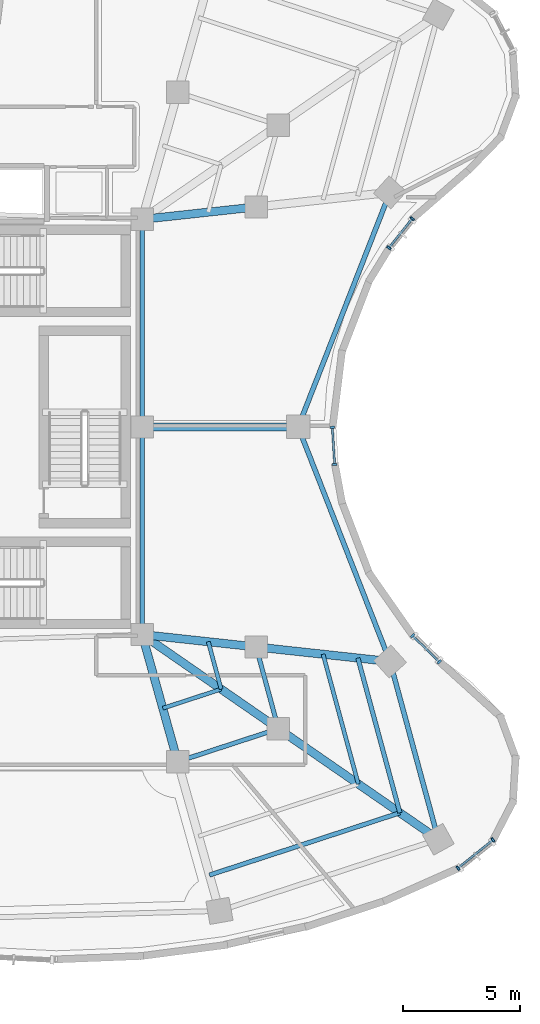
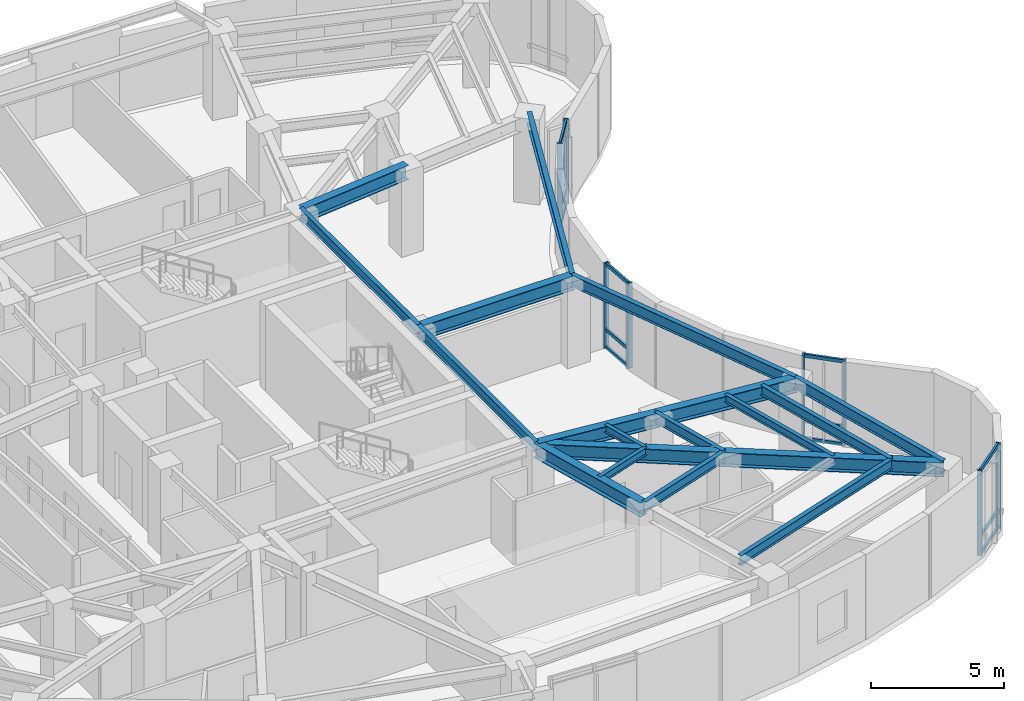
# One storey, part 4 of 15: 20 members, 19 beams, 4 elements without a shape of their own.
"""IFC4 building model written with IfcOpenShell, lengths in metres."""

from ifc_helpers import new_model, si_unit, direction, frame, origin, origin_2d, place, context, subcontext, project, spatial, rectangle, i_section, extrude, material, layer, layer_set, material_profile, profile_set, type_object, element, aggregate, save


model = new_model("IFC4")

# Units and contexts
model_context = context("Model", 3, precision=1e-05, world=origin(), true_north=direction((0.0, 1.0)))
body_context = subcontext(model_context, "Body", "Model", "MODEL_VIEW")
ifc_project = project(units=[si_unit("LENGTHUNIT", "METRE"), si_unit("AREAUNIT", "SQUARE_METRE"), si_unit("VOLUMEUNIT", "CUBIC_METRE"), si_unit("PLANEANGLEUNIT", "RADIAN"), si_unit("MASSUNIT", "GRAM", prefix="KILO")], contexts=[model_context])

# Site, building, storey
site_placement = place(None, origin())
site = spatial("IfcSite", under=ifc_project, at=site_placement, CompositionType="ELEMENT")
building_placement = place(site_placement, origin())
building = spatial("IfcBuilding", under=site, at=building_placement, Name="Korentha Bioscience Tower", CompositionType="ELEMENT")
storey_placement = place(building_placement, frame((0.0, 0.0, 226.800048828125)))
storey = spatial("IfcBuildingStorey", under=building, at=storey_placement, Name="L52", CompositionType="ELEMENT", Elevation=226.800048828125)

# Beams
ifc_material_1 = material(Name="Steel S355", Category="steel")
ifc_material_profile_1 = material_profile(ifc_material_1, i_section(OverallWidth=0.18994140625, OverallDepth=0.45703125, WebThickness=0.009033203125, FlangeThickness=0.014404296875, at=origin_2d()), Name="Steel S355")
ifc_profile_set_1 = profile_set([ifc_material_profile_1], Name="Steel S355 (MB-460)")
beam_type_1 = type_object("IfcBeamType", Name="Mid-Ring Tie Girder W460x74", PredefinedType="BEAM", material=ifc_profile_set_1)
beam_1_placement = place(storey_placement, frame((39.066650390625, 12.730224609375, 3.67138671875), z_axis=(0.950447398506, 0.310885417274, 0.0), x_axis=(-0.310885417274, 0.950447398506, 0.0)))
element("IfcBeam", 1, at=beam_1_placement, inside=storey, type_object=beam_type_1, Name="L52 Mid-Ring Tie Girder 12", PredefinedType="BEAM", context=body_context, shape_type="SweptSolid", body=[
    extrude(i_section(OverallWidth=0.18994140625, OverallDepth=0.45703125, WebThickness=0.009033203125, FlangeThickness=0.014404296875, at=origin_2d()), origin(), (0.0, 0.0, 1.0), 4.5146484375),
])
beam_2_placement = place(storey_placement, frame((43.357666015625, 14.1337890625, 3.67138671875), z_axis=(-0.262122358011, 0.965034646752, 0.0), x_axis=(-0.965034646752, -0.262122358011, 0.0)))
element("IfcBeam", 2, at=beam_2_placement, inside=storey, type_object=beam_type_1, Name="L52 Mid-Ring Tie Girder 13", PredefinedType="BEAM", context=body_context, shape_type="SweptSolid", body=[
    extrude(i_section(OverallWidth=0.18994140625, OverallDepth=0.45703125, WebThickness=0.009033203125, FlangeThickness=0.014404296875, at=origin_2d()), origin(), (0.0, 0.0, 1.0), 3.61279296875),
])
for number, where, z_axis, x_axis, name in (
    (3, (37.550048828125, 18.14990234375, 3.67138671875), (0.0, 1.0, 0.0), (-1.0, 0.0, 0.0), "L52 Core Ring Tie Girder 06"),
    (4, (37.550048828125, 27.0, 3.67138671875), (0.0, 1.0, 0.0), (-1.0, 0.0, 0.0), "L52 Core Ring Tie Girder 07"),
):
    element("IfcBeam", number, at=place(storey_placement, frame(where, z_axis=z_axis, x_axis=x_axis)), inside=storey, type_object=beam_type_1, Name=name, PredefinedType="BEAM", context=body_context, shape_type="SweptSolid", body=[
        extrude(i_section(OverallWidth=0.18994140625, OverallDepth=0.45703125, WebThickness=0.009033203125, FlangeThickness=0.014404296875, at=origin_2d()), origin(), (0.0, 0.0, 1.0), 8.85009765625),
    ])

# Curtain wall, members
ifc_material_2 = material(Name="Thermally Broken Aluminium Frame", Category="aluminium")
ifc_layer_1 = layer(ifc_material_2, 0.219970703125, Name="Thermally Broken Aluminium Frame")
ifc_layer_set_1 = layer_set([ifc_layer_1], Name="Thermally Broken Aluminium Frame (CW-T2)")
curtain_wall_type_1 = type_object("IfcCurtainWallType", Name="Solar-Screened Lab Unitised Curtain Wall CW-T2", PredefinedType="USERDEFINED", material=ifc_layer_set_1)
curtain_wall_1_placement = place(storey_placement, origin())
curtain_wall_1 = element("IfcCurtainWall", 5, at=curtain_wall_1_placement, inside=storey, type_object=curtain_wall_type_1, Name="L52 Curtain Wall 37", ObjectType="UNITISED", PredefinedType="USERDEFINED")
ifc_material_3 = material(Name="Anodised Aluminium 6063-T6", Category="aluminium")
ifc_material_profile_2 = material_profile(ifc_material_3, rectangle(XDim=0.090087890625, YDim=0.199951171875, at=origin_2d()), Name="Anodised Aluminium 6063-T6")
ifc_profile_set_2 = profile_set([ifc_material_profile_2], Name="Anodised Aluminium 6063-T6 (CW-MUL)")
member_type_1 = type_object("IfcMemberType", Name="Mullion RECT 90x200", PredefinedType="MULLION", material=ifc_profile_set_2)
member_1_placement = place(storey_placement, frame((51.01171875, 8.188720703125, 0.0), z_axis=(0.0, 0.0, 1.0), x_axis=(0.779197616162, 0.626778330008, 0.0)))
member_1 = element("IfcMember", 6, at=member_1_placement, type_object=member_type_1, Name="CW-L52-37 Mullion 1", PredefinedType="MULLION", context=body_context, shape_type="SweptSolid", body=[
    extrude(rectangle(XDim=0.090087890625, YDim=0.199951171875, at=origin_2d()), origin(), (0.0, 0.0, 1.0), 3.89990234375),
])
member_2_placement = place(storey_placement, frame((52.5087890625, 9.39306640625, 0.0), z_axis=(0.0, 0.0, 1.0), x_axis=(0.779197616162, 0.626778330008, 0.0)))
member_2 = element("IfcMember", 7, at=member_2_placement, type_object=member_type_1, Name="CW-L52-37 Mullion 2", PredefinedType="MULLION", context=body_context, shape_type="SweptSolid", body=[
    extrude(rectangle(XDim=0.090087890625, YDim=0.199951171875, at=origin_2d()), origin(), (0.0, 0.0, 1.0), 3.89990234375),
])

curtain_wall_2_placement = place(storey_placement, origin())
curtain_wall_2 = element("IfcCurtainWall", 8, at=curtain_wall_2_placement, inside=storey, type_object=curtain_wall_type_1, Name="L52 Curtain Wall 43", ObjectType="UNITISED", PredefinedType="USERDEFINED")
member_3_placement = place(storey_placement, frame((50.2197265625, 16.978759765625, 0.0), z_axis=(0.0, 0.0, 1.0), x_axis=(-0.713258270268, 0.700901305388, 0.0)))
member_3 = element("IfcMember", 9, at=member_3_placement, type_object=member_type_1, Name="CW-L52-43 Mullion 1", PredefinedType="MULLION", context=body_context, shape_type="SweptSolid", body=[
    extrude(rectangle(XDim=0.090087890625, YDim=0.199951171875, at=origin_2d()), origin(), (0.0, 0.0, 1.0), 3.89990234375),
])
member_4_placement = place(storey_placement, frame((49.08349609375, 18.095703125, 0.0), z_axis=(0.0, 0.0, 1.0), x_axis=(-0.713258270268, 0.700901305388, 0.0)))
member_4 = element("IfcMember", 10, at=member_4_placement, type_object=member_type_1, Name="CW-L52-43 Mullion 2", PredefinedType="MULLION", context=body_context, shape_type="SweptSolid", body=[
    extrude(rectangle(XDim=0.090087890625, YDim=0.199951171875, at=origin_2d()), origin(), (0.0, 0.0, 1.0), 3.89990234375),
])

ifc_layer_2 = layer(ifc_material_2, 0.219970703125, Name="Thermally Broken Aluminium Frame")
ifc_layer_set_2 = layer_set([ifc_layer_2], Name="Thermally Broken Aluminium Frame (CW-T1)")
curtain_wall_type_2 = type_object("IfcCurtainWallType", Name="Standard Bioscience Lab Unitised Curtain Wall CW-T1", PredefinedType="USERDEFINED", material=ifc_layer_set_2)
curtain_wall_3_placement = place(storey_placement, origin())
curtain_wall_3 = element("IfcCurtainWall", 11, at=curtain_wall_3_placement, inside=storey, type_object=curtain_wall_type_2, Name="L52 Curtain Wall 49", ObjectType="UNITISED", PredefinedType="USERDEFINED")
member_5_placement = place(storey_placement, frame((45.7568359375, 25.39501953125, 0.0), z_axis=(0.0, 0.0, 1.0), x_axis=(-0.06095424178, 0.998140561449, 0.0)))
member_5 = element("IfcMember", 12, at=member_5_placement, type_object=member_type_1, Name="CW-L52-49 Mullion 1", PredefinedType="MULLION", context=body_context, shape_type="SweptSolid", body=[
    extrude(rectangle(XDim=0.090087890625, YDim=0.199951171875, at=origin_2d()), origin(), (0.0, 0.0, 1.0), 3.89990234375),
])
member_6_placement = place(storey_placement, frame((45.65966796875, 26.985107421875, 0.0), z_axis=(0.0, 0.0, 1.0), x_axis=(-0.06095424178, 0.998140561449, 0.0)))
member_6 = element("IfcMember", 13, at=member_6_placement, type_object=member_type_1, Name="CW-L52-49 Mullion 2", PredefinedType="MULLION", context=body_context, shape_type="SweptSolid", body=[
    extrude(rectangle(XDim=0.090087890625, YDim=0.199951171875, at=origin_2d()), origin(), (0.0, 0.0, 1.0), 3.89990234375),
])

curtain_wall_4_placement = place(storey_placement, origin())
curtain_wall_4 = element("IfcCurtainWall", 14, at=curtain_wall_4_placement, inside=storey, type_object=curtain_wall_type_1, Name="L52 Curtain Wall 55", ObjectType="UNITISED", PredefinedType="USERDEFINED")
member_7_placement = place(storey_placement, frame((48.07177734375, 34.635498046875, 0.0), z_axis=(0.0, 0.0, 1.0), x_axis=(0.622511989066, 0.782610262819, 0.0)))
member_7 = element("IfcMember", 15, at=member_7_placement, type_object=member_type_1, Name="CW-L52-55 Mullion 1", PredefinedType="MULLION", context=body_context, shape_type="SweptSolid", body=[
    extrude(rectangle(XDim=0.090087890625, YDim=0.199951171875, at=origin_2d()), origin(), (0.0, 0.0, 1.0), 3.89990234375),
])
member_8_placement = place(storey_placement, frame((49.063720703125, 35.882568359375, 0.0), z_axis=(0.0, 0.0, 1.0), x_axis=(0.622511989066, 0.782610262819, 0.0)))
member_8 = element("IfcMember", 16, at=member_8_placement, type_object=member_type_1, Name="CW-L52-55 Mullion 2", PredefinedType="MULLION", context=body_context, shape_type="SweptSolid", body=[
    extrude(rectangle(XDim=0.090087890625, YDim=0.199951171875, at=origin_2d()), origin(), (0.0, 0.0, 1.0), 3.89990234375),
])

# Beams
ifc_material_profile_3 = material_profile(ifc_material_1, i_section(OverallWidth=0.208984375, OverallDepth=0.532958984375, WebThickness=0.01025390625, FlangeThickness=0.015625, at=origin_2d()), Name="Steel S355")
ifc_profile_set_3 = profile_set([ifc_material_profile_3], Name="Steel S355 (SB-530)")
beam_type_2 = type_object("IfcBeamType", Name="Perimeter Ring Spandrel Girder W530x92", PredefinedType="SPANDREL", material=ifc_profile_set_3)
beam_3_placement = place(storey_placement, frame((50.175537109375, 9.419189453125, 3.633544921875), z_axis=(-0.26215989838, 0.965024449266, 0.0), x_axis=(-0.965024449266, -0.26215989838, 0.0)))
element("IfcBeam", 17, at=beam_3_placement, inside=storey, type_object=beam_type_2, Name="L52 Perimeter Spandrel Girder 13", PredefinedType="SPANDREL", context=body_context, shape_type="SweptSolid", body=[
    extrude(i_section(OverallWidth=0.208984375, OverallDepth=0.532958984375, WebThickness=0.01025390625, FlangeThickness=0.015625, at=origin_2d()), origin(), (0.0, 0.0, 1.0), 7.854248046875),
])
for number, where, z_axis, x_axis, name in (
    (18, (48.116455078125, 16.998779296875, 3.633544921875), (-0.364482486075, 0.931210243363, 0.0), (-0.931210243363, -0.364482486075, 0.0), "L52 Perimeter Spandrel Girder 14"),
    (19, (44.201904296875, 27.0, 3.633544921875), (0.364482486075, 0.931210243363, 0.0), (-0.931210243363, 0.364482486075, 0.0), "L52 Perimeter Spandrel Girder 15"),
):
    element("IfcBeam", number, at=place(storey_placement, frame(where, z_axis=z_axis, x_axis=x_axis)), inside=storey, type_object=beam_type_2, Name=name, PredefinedType="SPANDREL", context=body_context, shape_type="SweptSolid", body=[
        extrude(i_section(OverallWidth=0.208984375, OverallDepth=0.532958984375, WebThickness=0.01025390625, FlangeThickness=0.015625, at=origin_2d()), origin(), (0.0, 0.0, 1.0), 10.739990234375),
    ])
ifc_material_profile_4 = material_profile(ifc_material_1, i_section(OverallWidth=0.18994140625, OverallDepth=0.45703125, WebThickness=0.009033203125, FlangeThickness=0.014404296875, at=origin_2d()), Name="Steel S355")
ifc_profile_set_4 = profile_set([ifc_material_profile_4], Name="Steel S355 (RB-460)")
beam_type_3 = type_object("IfcBeamType", Name="Radial Laboratory Beam W460x74", PredefinedType="BEAM", material=ifc_profile_set_4)
beam_4_placement = place(storey_placement, frame((40.419677734375, 7.89501953125, 3.67138671875), z_axis=(0.950451488918, 0.310872911674, 0.0), x_axis=(-0.310872911674, 0.950451488918, 0.0)))
element("IfcBeam", 20, at=beam_4_placement, inside=storey, type_object=beam_type_3, Name="L52 Secondary Floor Beam JSTO-12", PredefinedType="BEAM", context=body_context, shape_type="SweptSolid", body=[
    extrude(i_section(OverallWidth=0.18994140625, OverallDepth=0.45703125, WebThickness=0.009033203125, FlangeThickness=0.014404296875, at=origin_2d()), origin(), (0.0, 0.0, 1.0), 8.54296875),
])
beam_5_placement = place(storey_placement, frame((48.539306640625, 10.55078125, 3.67138671875), z_axis=(-0.262165402462, 0.965022954003, 0.0), x_axis=(-0.965022954003, -0.262165402462, 0.0)))
element("IfcBeam", 21, at=beam_5_placement, inside=storey, type_object=beam_type_3, Name="L52 Secondary Floor Beam JSTO-13", PredefinedType="BEAM", context=body_context, shape_type="SweptSolid", body=[
    extrude(i_section(OverallWidth=0.18994140625, OverallDepth=0.45703125, WebThickness=0.009033203125, FlangeThickness=0.014404296875, at=origin_2d()), origin(), (0.0, 0.0, 1.0), 6.836181640625),
])
ifc_material_profile_5 = material_profile(ifc_material_1, i_section(OverallWidth=0.35009765625, OverallDepth=0.64990234375, WebThickness=0.01611328125, FlangeThickness=0.02490234375, at=origin_2d()), Name="Steel S355")
ifc_profile_set_5 = profile_set([ifc_material_profile_5], Name="Steel S355 (RB-650)")
beam_type_4 = type_object("IfcBeamType", Name="Radial Laboratory Girder CVS 650x208", PredefinedType="BEAM", material=ifc_profile_set_5)
beam_6_placement = place(storey_placement, frame((37.550048828125, 18.14990234375, 3.574951171875), z_axis=(0.269480278508, -0.963005908339, 0.0), x_axis=(0.963005908339, 0.269480278508, 0.0)))
element("IfcBeam", 22, at=beam_6_placement, inside=storey, type_object=beam_type_4, Name="L52 Inner Radial Girder 12", PredefinedType="BEAM", context=body_context, shape_type="SweptSolid", body=[
    extrude(i_section(OverallWidth=0.35009765625, OverallDepth=0.64990234375, WebThickness=0.01611328125, FlangeThickness=0.02490234375, at=origin_2d()), origin(), (0.0, 0.0, 1.0), 5.6279296875),
])
beam_7_placement = place(storey_placement, frame((37.550048828125, 18.14990234375, 3.574951171875), z_axis=(0.822493302413, -0.568774795052, 0.0), x_axis=(0.568774795052, 0.822493302413, 0.0)))
element("IfcBeam", 23, at=beam_7_placement, inside=storey, type_object=beam_type_4, Name="L52 Inner Radial Girder 13", PredefinedType="BEAM", context=body_context, shape_type="SweptSolid", body=[
    extrude(i_section(OverallWidth=0.35009765625, OverallDepth=0.64990234375, WebThickness=0.01611328125, FlangeThickness=0.02490234375, at=origin_2d()), origin(), (0.0, 0.0, 1.0), 7.06103515625),
])
beam_8_placement = place(storey_placement, frame((43.357666015625, 14.1337890625, 3.574951171875), z_axis=(0.82250061903, -0.568764214499, 0.0), x_axis=(0.568764214499, 0.82250061903, 0.0)))
element("IfcBeam", 24, at=beam_8_placement, inside=storey, type_object=beam_type_4, Name="L52 Outer Radial Girder 13", PredefinedType="BEAM", context=body_context, shape_type="SweptSolid", body=[
    extrude(i_section(OverallWidth=0.35009765625, OverallDepth=0.64990234375, WebThickness=0.01611328125, FlangeThickness=0.02490234375, at=origin_2d()), origin(), (0.0, 0.0, 1.0), 8.289306640625),
])
beam_9_placement = place(storey_placement, frame((37.550048828125, 18.14990234375, 3.574951171875), z_axis=(0.994117728659, -0.108304854762, 0.0), x_axis=(0.108304854762, 0.994117728659, 0.0)))
element("IfcBeam", 25, at=beam_9_placement, inside=storey, type_object=beam_type_4, Name="L52 Inner Radial Girder 14", PredefinedType="BEAM", context=body_context, shape_type="SweptSolid", body=[
    extrude(i_section(OverallWidth=0.35009765625, OverallDepth=0.64990234375, WebThickness=0.01611328125, FlangeThickness=0.02490234375, at=origin_2d()), origin(), (0.0, 0.0, 1.0), 4.889404296875),
])
beam_10_placement = place(storey_placement, frame((42.41064453125, 17.620361328125, 3.574951171875), z_axis=(0.994118507308, -0.108297707398, 0.0), x_axis=(0.108297707398, 0.994118507308, 0.0)))
element("IfcBeam", 26, at=beam_10_placement, inside=storey, type_object=beam_type_4, Name="L52 Outer Radial Girder 14", PredefinedType="BEAM", context=body_context, shape_type="SweptSolid", body=[
    extrude(i_section(OverallWidth=0.35009765625, OverallDepth=0.64990234375, WebThickness=0.01611328125, FlangeThickness=0.02490234375, at=origin_2d()), origin(), (0.0, 0.0, 1.0), 5.739501953125),
])
beam_11_placement = place(storey_placement, frame((37.550048828125, 27.0, 3.574951171875), z_axis=(1.0, 0.0, 0.0), x_axis=(0.0, 1.0, 0.0)))
element("IfcBeam", 27, at=beam_11_placement, inside=storey, type_object=beam_type_4, Name="L52 Radial Girder 15", PredefinedType="BEAM", context=body_context, shape_type="SweptSolid", body=[
    extrude(i_section(OverallWidth=0.35009765625, OverallDepth=0.64990234375, WebThickness=0.01611328125, FlangeThickness=0.02490234375, at=origin_2d()), origin(), (0.0, 0.0, 1.0), 6.65185546875),
])
beam_12_placement = place(storey_placement, frame((37.550048828125, 35.85009765625, 3.574951171875), z_axis=(0.994117728659, 0.108304854762, 0.0), x_axis=(-0.108304854762, 0.994117728659, 0.0)))
element("IfcBeam", 28, at=beam_12_placement, inside=storey, type_object=beam_type_4, Name="L52 Inner Radial Girder 16", PredefinedType="BEAM", context=body_context, shape_type="SweptSolid", body=[
    extrude(i_section(OverallWidth=0.35009765625, OverallDepth=0.64990234375, WebThickness=0.01611328125, FlangeThickness=0.02490234375, at=origin_2d()), origin(), (0.0, 0.0, 1.0), 4.889404296875),
])
ifc_material_profile_6 = material_profile(ifc_material_1, i_section(OverallWidth=0.1708984375, OverallDepth=0.35498046875, WebThickness=0.007080078125, FlangeThickness=0.01171875, at=origin_2d()), Name="Steel S355")
ifc_profile_set_6 = profile_set([ifc_material_profile_6], Name="Steel S355 (JB-360)")
beam_type_5 = type_object("IfcBeamType", Name="Secondary Laboratory Joist W360x51", PredefinedType="JOIST", material=ifc_profile_set_6)
beam_13_placement = place(storey_placement, frame((38.4296875, 15.006591796875, 3.722412109375), z_axis=(0.950458247894, 0.31085224627, 0.0), x_axis=(-0.31085224627, 0.950458247894, 0.0)))
element("IfcBeam", 29, at=beam_13_placement, inside=storey, type_object=beam_type_5, Name="L52 Inner Bay Joist 12", PredefinedType="JOIST", context=body_context, shape_type="SweptSolid", body=[
    extrude(i_section(OverallWidth=0.1708984375, OverallDepth=0.35498046875, WebThickness=0.007080078125, FlangeThickness=0.01171875, at=origin_2d()), origin(), (0.0, 0.0, 1.0), 2.618408203125),
])
beam_14_placement = place(storey_placement, frame((46.7666015625, 11.776611328125, 3.722412109375), z_axis=(-0.262133629198, 0.965031585205, 0.0), x_axis=(-0.965031585205, -0.262133629198, 0.0)))
element("IfcBeam", 30, at=beam_14_placement, inside=storey, type_object=beam_type_5, Name="L52 Secondary Floor Beam JST-13", PredefinedType="JOIST", context=body_context, shape_type="SweptSolid", body=[
    extrude(i_section(OverallWidth=0.1708984375, OverallDepth=0.35498046875, WebThickness=0.007080078125, FlangeThickness=0.01171875, at=origin_2d()), origin(), (0.0, 0.0, 1.0), 5.7333984375),
])
beam_15_placement = place(storey_placement, frame((40.91845703125, 15.820556640625, 3.722412109375), z_axis=(-0.262141298938, 0.965029501824, 0.0), x_axis=(-0.965029501824, -0.262141298938, 0.0)))
element("IfcBeam", 31, at=beam_15_placement, inside=storey, type_object=beam_type_5, Name="L52 Inner Bay Joist 13", PredefinedType="JOIST", context=body_context, shape_type="SweptSolid", body=[
    extrude(i_section(OverallWidth=0.1708984375, OverallDepth=0.35498046875, WebThickness=0.007080078125, FlangeThickness=0.01171875, at=origin_2d()), origin(), (0.0, 0.0, 1.0), 2.095458984375),
])

# Member
ifc_material_profile_7 = material_profile(ifc_material_3, rectangle(XDim=0.090087890625, YDim=0.159912109375, at=origin_2d()), Name="Anodised Aluminium 6063-T6")
ifc_profile_set_7 = profile_set([ifc_material_profile_7], Name="Anodised Aluminium 6063-T6 (CW-TRN)")
member_type_2 = type_object("IfcMemberType", Name="Transom RECT 90x160", PredefinedType="USERDEFINED", material=ifc_profile_set_7)
member_9_placement = place(storey_placement, frame((51.046630859375, 8.216796875, 0.044921875), z_axis=(0.779227601678, 0.62674105082, 0.0), x_axis=(-0.62674105082, 0.779227601678, 0.0)))
member_9 = element("IfcMember", 32, at=member_9_placement, type_object=member_type_2, Name="CW-L52-37 Bay 1 Transom 1", ObjectType="TRANSOM", PredefinedType="USERDEFINED", context=body_context, shape_type="SweptSolid", body=[
    extrude(rectangle(XDim=0.090087890625, YDim=0.159912109375, at=origin_2d()), origin(), (0.0, 0.0, 1.0), 1.83154296875),
])

member_10_placement = place(storey_placement, frame((51.046630859375, 8.216796875, 0.849853515625), z_axis=(0.779227601678, 0.62674105082, 0.0), x_axis=(-0.62674105082, 0.779227601678, 0.0)))
member_10 = element("IfcMember", 33, at=member_10_placement, type_object=member_type_2, Name="CW-L52-37 Bay 1 Transom 2", ObjectType="TRANSOM", PredefinedType="USERDEFINED", context=body_context, shape_type="SweptSolid", body=[
    extrude(rectangle(XDim=0.090087890625, YDim=0.159912109375, at=origin_2d()), origin(), (0.0, 0.0, 1.0), 1.83154296875),
])

member_11_placement = place(storey_placement, frame((51.046630859375, 8.216796875, 3.85498046875), z_axis=(0.779227601678, 0.62674105082, 0.0), x_axis=(-0.62674105082, 0.779227601678, 0.0)))
member_11 = element("IfcMember", 34, at=member_11_placement, type_object=member_type_2, Name="CW-L52-37 Bay 1 Transom 3", ObjectType="TRANSOM", PredefinedType="USERDEFINED", context=body_context, shape_type="SweptSolid", body=[
    extrude(rectangle(XDim=0.090087890625, YDim=0.159912109375, at=origin_2d()), origin(), (0.0, 0.0, 1.0), 1.83154296875),
])

aggregate(curtain_wall_1, [member_1, member_2, member_9, member_10, member_11])

member_12_placement = place(storey_placement, frame((50.187744140625, 17.010498046875, 0.044921875), z_axis=(-0.713332158059, 0.700826107018, 0.0), x_axis=(-0.700826107018, -0.713332158059, 0.0)))
member_12 = element("IfcMember", 35, at=member_12_placement, type_object=member_type_2, Name="CW-L52-43 Bay 1 Transom 1", ObjectType="TRANSOM", PredefinedType="USERDEFINED", context=body_context, shape_type="SweptSolid", body=[
    extrude(rectangle(XDim=0.090087890625, YDim=0.159912109375, at=origin_2d()), origin(), (0.0, 0.0, 1.0), 1.503173828125),
])

member_13_placement = place(storey_placement, frame((50.187744140625, 17.010498046875, 0.849853515625), z_axis=(-0.713332158059, 0.700826107018, 0.0), x_axis=(-0.700826107018, -0.713332158059, 0.0)))
member_13 = element("IfcMember", 36, at=member_13_placement, type_object=member_type_2, Name="CW-L52-43 Bay 1 Transom 2", ObjectType="TRANSOM", PredefinedType="USERDEFINED", context=body_context, shape_type="SweptSolid", body=[
    extrude(rectangle(XDim=0.090087890625, YDim=0.159912109375, at=origin_2d()), origin(), (0.0, 0.0, 1.0), 1.503173828125),
])

member_14_placement = place(storey_placement, frame((50.187744140625, 17.010498046875, 3.85498046875), z_axis=(-0.713332158059, 0.700826107018, 0.0), x_axis=(-0.700826107018, -0.713332158059, 0.0)))
member_14 = element("IfcMember", 37, at=member_14_placement, type_object=member_type_2, Name="CW-L52-43 Bay 1 Transom 3", ObjectType="TRANSOM", PredefinedType="USERDEFINED", context=body_context, shape_type="SweptSolid", body=[
    extrude(rectangle(XDim=0.090087890625, YDim=0.159912109375, at=origin_2d()), origin(), (0.0, 0.0, 1.0), 1.503173828125),
])

aggregate(curtain_wall_2, [member_3, member_4, member_12, member_13, member_14])

member_15_placement = place(storey_placement, frame((45.75390625, 25.439697265625, 0.044921875), z_axis=(-0.060902034753, 0.998143748246, 0.0), x_axis=(-0.998143748246, -0.060902034753, 0.0)))
member_15 = element("IfcMember", 38, at=member_15_placement, type_object=member_type_2, Name="CW-L52-49 Bay 1 Transom 1", ObjectType="TRANSOM", PredefinedType="USERDEFINED", context=body_context, shape_type="SweptSolid", body=[
    extrude(rectangle(XDim=0.090087890625, YDim=0.159912109375, at=origin_2d()), origin(), (0.0, 0.0, 1.0), 1.503173828125),
])

member_16_placement = place(storey_placement, frame((45.75390625, 25.439697265625, 0.849853515625), z_axis=(-0.060902034753, 0.998143748246, 0.0), x_axis=(-0.998143748246, -0.060902034753, 0.0)))
member_16 = element("IfcMember", 39, at=member_16_placement, type_object=member_type_2, Name="CW-L52-49 Bay 1 Transom 2", ObjectType="TRANSOM", PredefinedType="USERDEFINED", context=body_context, shape_type="SweptSolid", body=[
    extrude(rectangle(XDim=0.090087890625, YDim=0.159912109375, at=origin_2d()), origin(), (0.0, 0.0, 1.0), 1.503173828125),
])

member_17_placement = place(storey_placement, frame((45.75390625, 25.439697265625, 3.85498046875), z_axis=(-0.060902034753, 0.998143748246, 0.0), x_axis=(-0.998143748246, -0.060902034753, 0.0)))
member_17 = element("IfcMember", 40, at=member_17_placement, type_object=member_type_2, Name="CW-L52-49 Bay 1 Transom 3", ObjectType="TRANSOM", PredefinedType="USERDEFINED", context=body_context, shape_type="SweptSolid", body=[
    extrude(rectangle(XDim=0.090087890625, YDim=0.159912109375, at=origin_2d()), origin(), (0.0, 0.0, 1.0), 1.503173828125),
])

aggregate(curtain_wall_3, [member_5, member_6, member_15, member_16, member_17])

member_18_placement = place(storey_placement, frame((48.099609375, 34.670654296875, 0.044921875), z_axis=(0.622514525424, 0.782608245316, 0.0), x_axis=(-0.782608245316, 0.622514525424, 0.0)))
member_18 = element("IfcMember", 41, at=member_18_placement, type_object=member_type_2, Name="CW-L52-55 Bay 1 Transom 1", ObjectType="TRANSOM", PredefinedType="USERDEFINED", context=body_context, shape_type="SweptSolid", body=[
    extrude(rectangle(XDim=0.090087890625, YDim=0.159912109375, at=origin_2d()), origin(), (0.0, 0.0, 1.0), 1.503662109375),
])

member_19_placement = place(storey_placement, frame((48.099609375, 34.670654296875, 0.849853515625), z_axis=(0.622514525424, 0.782608245316, 0.0), x_axis=(-0.782608245316, 0.622514525424, 0.0)))
member_19 = element("IfcMember", 42, at=member_19_placement, type_object=member_type_2, Name="CW-L52-55 Bay 1 Transom 2", ObjectType="TRANSOM", PredefinedType="USERDEFINED", context=body_context, shape_type="SweptSolid", body=[
    extrude(rectangle(XDim=0.090087890625, YDim=0.159912109375, at=origin_2d()), origin(), (0.0, 0.0, 1.0), 1.503662109375),
])

member_20_placement = place(storey_placement, frame((48.099609375, 34.670654296875, 3.85498046875), z_axis=(0.622514525424, 0.782608245316, 0.0), x_axis=(-0.782608245316, 0.622514525424, 0.0)))
member_20 = element("IfcMember", 43, at=member_20_placement, type_object=member_type_2, Name="CW-L52-55 Bay 1 Transom 3", ObjectType="TRANSOM", PredefinedType="USERDEFINED", context=body_context, shape_type="SweptSolid", body=[
    extrude(rectangle(XDim=0.090087890625, YDim=0.159912109375, at=origin_2d()), origin(), (0.0, 0.0, 1.0), 1.503662109375),
])

aggregate(curtain_wall_4, [member_7, member_8, member_18, member_19, member_20])

save(model, "model.ifc")
